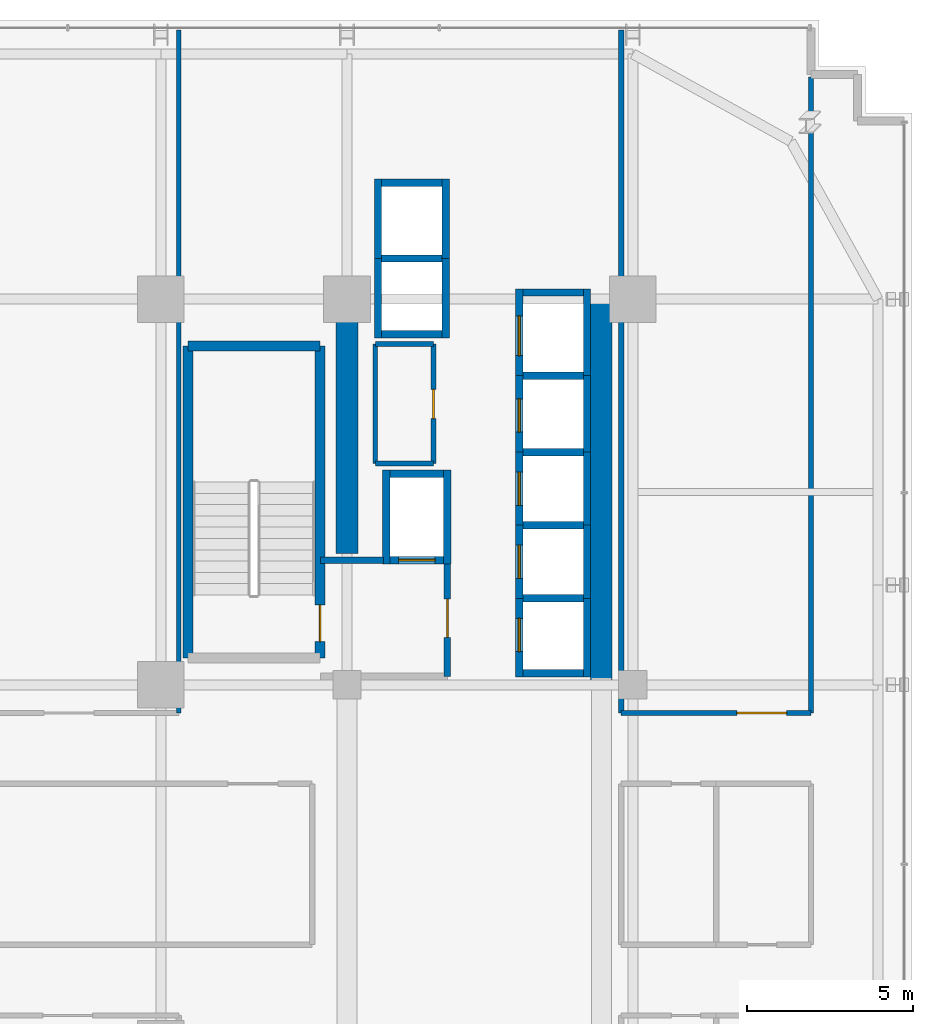
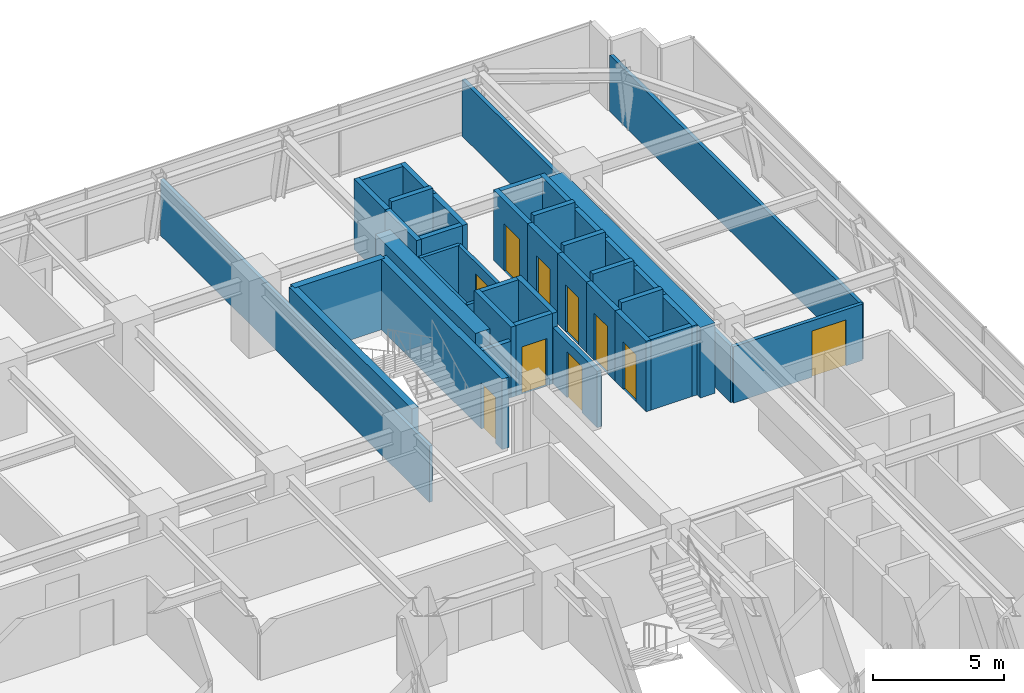
# One storey, part 31 of 35: 42 walls, 10 doors, 10 openings.
"""IFC4 building model written with IfcOpenShell, lengths in metres."""

import ifcopenshell
import ifcopenshell.guid

model = None  # the IFC model being written
_history = None  # IfcOwnerHistory: only IFC2X3 demands one
_inside = {}  # id of a spatial element -> (the spatial element, [elements in it])
_under = {}  # id of a project, library or spatial element -> (it, [spatial elements below it])
_declared = {}  # id of a project -> (the project, [libraries it declares])
_typed = {}  # id of a type object -> (the type object, [elements of that type])
_made_of = {}  # id of a material, layer set ... -> (it, [elements and type objects made of it])


def new_model(schema):
    """Start an empty IFC model of exactly this schema.

    Asked for "IFC4X3", IfcOpenShell would pick the latest addendum, in which some entities
    have other attributes; the version numbers below select the first issue.
    IFC2X3 requires an IfcOwnerHistory on every rooted entity: one is made here for all.
    """
    global model, _history
    if schema == "IFC4X3":
        model = ifcopenshell.file(schema_version=(4, 3, 0, 0))
    else:
        model = ifcopenshell.file(schema=schema)
    _inside.clear()
    _under.clear()
    _declared.clear()
    _typed.clear()
    _made_of.clear()
    _history = None
    if model.schema == "IFC2X3":
        org = make("IfcOrganization", Name="unknown")
        user = make(
            "IfcPersonAndOrganization",
            ThePerson=make("IfcPerson", FamilyName="unknown"),
            TheOrganization=org,
        )
        app = make(
            "IfcApplication",
            ApplicationDeveloper=org,
            Version="unknown",
            ApplicationFullName="unknown",
            ApplicationIdentifier="unknown",
        )
        _history = make(
            "IfcOwnerHistory",
            OwningUser=user,
            OwningApplication=app,
            ChangeAction="ADDED",
            CreationDate=0,
        )
    return model


def make(cls, **values):
    """One entity of the class cls with the attributes given. An attribute that is None is left unset."""
    return model.create_entity(
        cls, **{name: value for name, value in values.items() if value is not None}
    )


def rooted(cls, **values):
    """An entity with a GlobalId (a new one), such as an element, a storey or a relation."""
    return make(cls, GlobalId=ifcopenshell.guid.new(), OwnerHistory=_history, **values)


def si_unit(unit_type, name, prefix=None):
    """IfcSIUnit, for example si_unit("LENGTHUNIT", "METRE", prefix="MILLI")."""
    return make("IfcSIUnit", UnitType=unit_type, Prefix=prefix, Name=name)


def assignment(units):
    """IfcUnitAssignment: the units of a project."""
    return None if units is None else make("IfcUnitAssignment", Units=units)


def point(xyz):
    """IfcCartesianPoint."""
    return None if xyz is None else make("IfcCartesianPoint", Coordinates=xyz)


def direction(xyz):
    """IfcDirection."""
    return None if xyz is None else make("IfcDirection", DirectionRatios=xyz)


def frame(location, z_axis=None, x_axis=None):
    """IfcAxis2Placement3D, a coordinate frame: its origin and axes. An axis left out is left unset."""
    return make(
        "IfcAxis2Placement3D",
        Location=point(location),
        Axis=direction(z_axis),
        RefDirection=direction(x_axis),
    )


def frame_2d(location, x_axis=None):
    """IfcAxis2Placement2D, a coordinate frame in the plane: its origin and x axis."""
    return make(
        "IfcAxis2Placement2D", Location=point(location), RefDirection=direction(x_axis)
    )


def origin():
    """The frame at (0, 0, 0) with its axes left unset."""
    return frame((0.0, 0.0, 0.0))


def place(relative_to, where):
    """IfcLocalPlacement: puts the frame where relative to a parent placement (None: the world)."""
    return make(
        "IfcLocalPlacement", PlacementRelTo=relative_to, RelativePlacement=where
    )


def context(
    kind, dimensions, precision=None, world=None, true_north=None, identifier=None
):
    """IfcGeometricRepresentationContext, for example the 3D "Model" context."""
    return make(
        "IfcGeometricRepresentationContext",
        ContextIdentifier=identifier,
        ContextType=kind,
        CoordinateSpaceDimension=dimensions,
        Precision=precision,
        WorldCoordinateSystem=world,
        TrueNorth=true_north,
    )


def subcontext(parent, identifier, kind, view, scale=None):
    """IfcGeometricRepresentationSubContext, for example "Body" below "Model"."""
    return make(
        "IfcGeometricRepresentationSubContext",
        ContextIdentifier=identifier,
        ContextType=kind,
        ParentContext=parent,
        TargetScale=scale,
        TargetView=view,
    )


def project(units=None, contexts=None):
    """IfcProject with its units and contexts."""
    return rooted(
        "IfcProject",
        Name="project",
        RepresentationContexts=contexts,
        UnitsInContext=assignment(units),
    )


def spatial(cls, under=None, at=None, **own):
    """A site, building, storey or space (cls), placed at a placement, below another one or the project."""
    s = rooted(cls, ObjectPlacement=at, **own)
    if under is not None:
        _under.setdefault(under.id(), (under, []))[1].append(s)
    return s


def profile(cls, at=None, kind="AREA", **sizes):
    """A parametric profile (cls). Its sizes go by their IFC names, for example OverallWidth=200.0."""
    return make(cls, ProfileType=kind, Position=at, **sizes)


def rectangle(**sizes):
    """IfcRectangleProfileDef."""
    return profile("IfcRectangleProfileDef", **sizes)


def extrude(swept, where, along, depth):
    """IfcExtrudedAreaSolid: the profile swept, set in the frame where, extruded along a direction by depth."""
    return make(
        "IfcExtrudedAreaSolid",
        SweptArea=swept,
        Position=where,
        ExtrudedDirection=direction(along),
        Depth=depth,
    )


def shape(context_of_items, identifier, shape_type, items):
    """IfcShapeRepresentation: the items that make up one representation, for example the "Body"."""
    return make(
        "IfcShapeRepresentation",
        ContextOfItems=context_of_items,
        RepresentationIdentifier=identifier,
        RepresentationType=shape_type,
        Items=items,
    )


def source(mapping_origin, context_of_items, identifier, shape_type, items):
    """IfcRepresentationMap: a shape defined once, which mapped items show again and again."""
    return make(
        "IfcRepresentationMap",
        MappingOrigin=mapping_origin,
        MappedRepresentation=shape(context_of_items, identifier, shape_type, items),
    )


def transform(
    local_origin,
    x_axis=None,
    y_axis=None,
    z_axis=None,
    scale=None,
    scale2=None,
    scale3=None,
    uniform=True,
):
    """IfcCartesianTransformationOperator3D, or its non-uniform kind. x_axis, y_axis, z_axis: its Axis1, 2, 3."""
    if uniform:
        return make(
            "IfcCartesianTransformationOperator3D",
            Axis1=direction(x_axis),
            Axis2=direction(y_axis),
            LocalOrigin=point(local_origin),
            Scale=scale,
            Axis3=direction(z_axis),
        )
    return make(
        "IfcCartesianTransformationOperator3DnonUniform",
        Axis1=direction(x_axis),
        Axis2=direction(y_axis),
        LocalOrigin=point(local_origin),
        Scale=scale,
        Axis3=direction(z_axis),
        Scale2=scale2,
        Scale3=scale3,
    )


def mapped(mapping_source, mapping_target):
    """IfcMappedItem: shows the shape of a source again, moved by a transform."""
    return make(
        "IfcMappedItem", MappingSource=mapping_source, MappingTarget=mapping_target
    )


def material(Name=None, Category=None):
    """IfcMaterial."""
    return make("IfcMaterial", Name=Name, Category=Category)


def layer(
    of_material, thickness, ventilated=None, Name=None, Category=None, Priority=None
):
    """IfcMaterialLayer: one layer of a wall or slab, of a material (None: an air gap)."""
    return make(
        "IfcMaterialLayer",
        Material=of_material,
        LayerThickness=thickness,
        IsVentilated=ventilated,
        Name=Name,
        Category=Category,
        Priority=Priority,
    )


def layer_set(layers, Name=None):
    """IfcMaterialLayerSet."""
    return make("IfcMaterialLayerSet", MaterialLayers=layers, LayerSetName=Name)


def made_of(thing, what):
    """Note that an element or type object is made of a material, layer set ...; save() writes the relation."""
    if what is not None:
        _made_of.setdefault(what.id(), (what, []))[1].append(thing)
    return thing


def type_object(cls, material=None, **own):
    """A type object (cls), such as IfcWallType, which elements share."""
    return made_of(rooted(cls, **own), material)


def element(
    cls,
    number,
    at=None,
    inside=None,
    cuts=None,
    type_object=None,
    material=None,
    context=None,
    identifier="Body",
    shape_type=None,
    held_by="IfcProductDefinitionShape",
    body=None,
    shapes=None,
    **own,
):
    """One element of the class cls, such as IfcWall. Its Tag is "e" and its number.

    at: its placement. inside: the storey or other place that contains it. cuts: it is an
    opening in that element (IfcRelVoidsElement). A single representation is given by context,
    identifier, shape_type and body (its items); several are given by shapes. held_by: the class
    of the entity that holds the representations. save() writes the other relations.
    """
    e = rooted(cls, Tag="e%d" % number, ObjectPlacement=at, **own)
    if body is not None:
        shapes = [shape(context, identifier, shape_type, body)]
    if shapes is not None:
        e.Representation = make(held_by, Representations=shapes)
    if inside is not None:
        _inside.setdefault(inside.id(), (inside, []))[1].append(e)
    if cuts is not None:
        rooted(
            "IfcRelVoidsElement", RelatingBuildingElement=cuts, RelatedOpeningElement=e
        )
    if type_object is not None:
        _typed.setdefault(type_object.id(), (type_object, []))[1].append(e)
    return made_of(e, material)


def fill(opening, filler):
    """IfcRelFillsElement: the door or window that sits in an opening."""
    return rooted(
        "IfcRelFillsElement",
        RelatingOpeningElement=opening,
        RelatedBuildingElement=filler,
    )


def aggregate(whole, parts):
    """IfcRelAggregates: a whole, such as a stair, and the parts it consists of."""
    return rooted("IfcRelAggregates", RelatingObject=whole, RelatedObjects=parts)


def save(model, path):
    """Write the relations noted so far, then the file.

    IfcRelAggregates (storeys below a building ...), IfcRelContainedInSpatialStructure (elements
    in a storey), IfcRelDefinesByType, IfcRelAssociatesMaterial and IfcRelDeclares: one each for
    every whole, place, type object, material and project.
    """
    for whole, parts in _under.values():
        aggregate(whole, parts)
    for where, things in _inside.values():
        rooted(
            "IfcRelContainedInSpatialStructure",
            RelatedElements=things,
            RelatingStructure=where,
        )
    for kind, things in _typed.values():
        rooted("IfcRelDefinesByType", RelatedObjects=things, RelatingType=kind)
    for what, things in _made_of.values():
        rooted("IfcRelAssociatesMaterial", RelatedObjects=things, RelatingMaterial=what)
    for by, libraries in _declared.values():
        rooted("IfcRelDeclares", RelatingContext=by, RelatedDefinitions=libraries)
    model.write(path)


model = new_model("IFC4")

# Units and contexts
model_context = context("Model", 3, precision=1e-05, world=origin(), true_north=direction((0.0, 1.0)))
body_context = subcontext(model_context, "Body", "Model", "MODEL_VIEW")
ifc_project = project(units=[si_unit("LENGTHUNIT", "METRE"), si_unit("AREAUNIT", "SQUARE_METRE"), si_unit("VOLUMEUNIT", "CUBIC_METRE"), si_unit("PLANEANGLEUNIT", "RADIAN"), si_unit("MASSUNIT", "GRAM", prefix="KILO")], contexts=[model_context])

# Site, building, storey
site_placement = place(None, origin())
site = spatial("IfcSite", under=ifc_project, at=site_placement, CompositionType="ELEMENT")
building_placement = place(site_placement, origin())
building = spatial("IfcBuilding", under=site, at=building_placement, Name="Nahalor Promenade Grand Hotel", CompositionType="ELEMENT")
storey_placement = place(building_placement, frame((0.0, 0.0, 79.85009765625)))
storey = spatial("IfcBuildingStorey", under=building, at=storey_placement, Name="L19", CompositionType="ELEMENT", Elevation=79.85009765625)

# Walls
ifc_material_1 = material(Name="Concrete B-60 (C50/60)", Category="concrete")
ifc_layer_1 = layer(ifc_material_1, 0.64990234375)
ifc_layer_set_1 = layer_set([ifc_layer_1], Name="Concrete B-60 (C50/60)")
wall_type_1 = type_object("IfcWallType", Name="Wall-CoreShear-650", PredefinedType="SHEAR", material=ifc_layer_set_1)
shared_shape_1 = source(origin(), body_context, "Body", "SweptSolid", [
    extrude(rectangle(XDim=7.64990234375, YDim=0.64990234375, at=frame_2d((3.824951171875, 0.0))), origin(), (0.0, 0.0, 1.0), 3.289794921875),
])
wall_1_placement = place(storey_placement, frame((8.39990234375, 9.35009765625, 0.0), z_axis=(0.0, 0.0, 1.0), x_axis=(0.0, 1.0, 0.0)))
element("IfcWall", 1, at=wall_1_placement, inside=storey, type_object=wall_type_1, Name="CWALL-L19-NW", PredefinedType="SHEAR", context=body_context, shape_type="MappedRepresentation", body=[
    mapped(shared_shape_1, transform((0.0, 0.0, 0.0), scale=1.0)),
])
shared_shape_2 = source(origin(), body_context, "Body", "SweptSolid", [
    extrude(rectangle(XDim=11.60009765625, YDim=0.64990234375, at=frame_2d((5.800048828125, 0.0))), origin(), (0.0, 0.0, 1.0), 3.289794921875),
])
wall_2_placement = place(storey_placement, frame((16.050048828125, 5.39990234375, 0.0), z_axis=(0.0, 0.0, 1.0), x_axis=(0.0, 1.0, 0.0)))
element("IfcWall", 2, at=wall_2_placement, inside=storey, type_object=wall_type_1, Name="CWALL-L19-NE", PredefinedType="SHEAR", context=body_context, shape_type="MappedRepresentation", body=[
    mapped(shared_shape_2, transform((0.0, 0.0, 0.0), scale=1.0)),
])
ifc_material_2 = material(Name="Concrete B-50 (C40/50)", Category="concrete")
ifc_layer_2 = layer(ifc_material_2, 0.300048828125)
ifc_layer_set_2 = layer_set([ifc_layer_2], Name="Concrete B-50 (C40/50)")
wall_type_2 = type_object("IfcWallType", Name="Wall-ShaftShear-300", PredefinedType="SHEAR", material=ifc_layer_set_2)
shared_shape_3 = source(origin(), body_context, "Body", "SweptSolid", [
    extrude(rectangle(XDim=3.97998046875, YDim=0.300048828125, at=frame_2d((1.989990234375, 0.0))), origin(), (0.0, 0.0, 1.0), 3.289794921875),
])
wall_3_placement = place(storey_placement, frame((3.610107421875, 15.590087890625, 0.0), z_axis=(0.0, 0.0, 1.0), x_axis=(1.0, 0.0, 0.0)))
element("IfcWall", 3, at=wall_3_placement, inside=storey, type_object=wall_type_2, Name="L19 Exit Stair ST1 Shaft Wall N", PredefinedType="SHEAR", context=body_context, shape_type="MappedRepresentation", body=[
    mapped(shared_shape_3, transform((0.0, 0.0, 0.0), scale=1.0)),
])
shared_shape_4 = source(origin(), body_context, "Body", "SweptSolid", [
    extrude(rectangle(XDim=9.380126953125, YDim=0.300048828125, at=frame_2d((4.68994140625, 0.0))), origin(), (0.0, 0.0, 1.0), 3.289794921875),
])
wall_4_placement = place(storey_placement, frame((3.610107421875, 6.2099609375, 0.0), z_axis=(0.0, 0.0, 1.0), x_axis=(0.0, 1.0, 0.0)))
element("IfcWall", 4, at=wall_4_placement, inside=storey, type_object=wall_type_2, Name="L19 Exit Stair ST1 Shaft Wall W", PredefinedType="SHEAR", context=body_context, shape_type="MappedRepresentation", body=[
    mapped(shared_shape_4, transform((0.0, 0.0, 0.0), scale=1.0)),
])

# Wall, opening, door
wall_5_placement = place(storey_placement, frame((7.590087890625, 6.2099609375, 0.0), z_axis=(0.0, 0.0, 1.0), x_axis=(0.0, 1.0, 0.0)))
wall_5 = element("IfcWall", 5, at=wall_5_placement, inside=storey, type_object=wall_type_2, Name="L19 Exit Stair ST1 Shaft Wall E", PredefinedType="SHEAR", context=body_context, shape_type="MappedRepresentation", body=[
    mapped(shared_shape_4, transform((0.0, 0.0, 0.0), scale=1.0)),
])
opening_1_placement = place(wall_5_placement, frame((0.489990234375, 0.0, 0.0)))
opening_1 = element("IfcOpeningElement", 6, at=opening_1_placement, cuts=wall_5, Name="Opening D-ST1", PredefinedType="OPENING", context=body_context, shape_type="SweptSolid", body=[
    extrude(rectangle(XDim=1.10009765625, YDim=2.14990234375, at=frame_2d((0.550048828125, 1.074951171875))), frame((0.0, 0.159912109375, 0.0), z_axis=(0.0, -1.0, 0.0), x_axis=(1.0, 0.0, 0.0)), (0.0, 0.0, 1.0), 0.320068359375),
])
ifc_material_3 = material(Name="Steel S355JR", Category="steel")
door_type_1 = type_object("IfcDoorType", Name="Door-StairFire-1100", OperationType="NOTDEFINED", PredefinedType="DOOR", material=ifc_material_3)
shared_shape_5 = source(origin(), body_context, "Body", "SweptSolid", [
    extrude(rectangle(XDim=1.10009765625, YDim=2.14990234375, at=frame_2d((0.550048828125, 1.074951171875))), frame((0.0, 0.02490234375, 0.0), z_axis=(0.0, -1.0, 0.0), x_axis=(1.0, 0.0, 0.0)), (0.0, 0.0, 1.0), 0.050048828125),
])
door_1_placement = place(opening_1_placement, origin())
door_1 = element("IfcDoor", 7, at=door_1_placement, inside=storey, type_object=door_type_1, Name="DR-STAIR-ST1-L19", OperationType="SINGLE_SWING_RIGHT", OverallHeight=2.14990234375, OverallWidth=1.10009765625, PredefinedType="DOOR", context=body_context, shape_type="MappedRepresentation", body=[
    mapped(shared_shape_5, transform((0.0, 0.0, 0.0), scale=1.0)),
])
fill(opening_1, door_1)

# Walls
ifc_layer_3 = layer(ifc_material_2, 0.219970703125)
ifc_layer_set_3 = layer_set([ifc_layer_3], Name="Concrete B-50 (C40/50)")
wall_type_3 = type_object("IfcWallType", Name="Wall-LiftShaft-220", PredefinedType="SHEAR", material=ifc_layer_set_3)
shared_shape_6 = source(origin(), body_context, "Body", "SweptSolid", [
    extrude(rectangle(XDim=1.820068359375, YDim=0.219970703125, at=frame_2d((0.91015625, 0.0))), origin(), (0.0, 0.0, 1.0), 3.64990234375),
])
for number, where, z_axis, x_axis, name in (
    (8, (13.68994140625, 8.0, 0.0), (0.0, 0.0, 1.0), (1.0, 0.0, 0.0), "L19 Lift PL1 Hoistway Wall N"),
    (9, (13.68994140625, 10.199951171875, 0.0), (0.0, 0.0, 1.0), (1.0, 0.0, 0.0), "L19 Lift PL2 Hoistway Wall N"),
    (10, (13.68994140625, 12.39990234375, 0.0), (0.0, 0.0, 1.0), (1.0, 0.0, 0.0), "L19 Lift PL3 Hoistway Wall N"),
    (11, (13.68994140625, 14.699951171875, 0.0), (0.0, 0.0, 1.0), (1.0, 0.0, 0.0), "L19 Lift PL4 Hoistway Wall N"),
    (12, (9.43994140625, 18.22509765625, 0.0), (0.0, 0.0, 1.0), (1.0, 0.0, 0.0), "L19 Lift OB1 Hoistway Wall N"),
):
    element("IfcWall", number, at=place(storey_placement, frame(where, z_axis=z_axis, x_axis=x_axis)), inside=storey, type_object=wall_type_3, Name=name, PredefinedType="SHEAR", context=body_context, shape_type="MappedRepresentation", body=[
        mapped(shared_shape_6, transform((0.0, 0.0, 0.0), scale=1.0)),
    ])

# Wall, opening, door
shared_shape_7 = source(origin(), body_context, "Body", "SweptSolid", [
    extrude(rectangle(XDim=2.360107421875, YDim=0.219970703125, at=frame_2d((1.18017578125, 0.0))), origin(), (0.0, 0.0, 1.0), 3.289794921875),
])
wall_6_placement = place(storey_placement, frame((13.580078125, 5.639892578125, 0.0), z_axis=(0.0, 0.0, 1.0), x_axis=(0.0, 1.0, 0.0)))
wall_6 = element("IfcWall", 13, at=wall_6_placement, inside=storey, type_object=wall_type_3, Name="L19 Lift PL1 Hoistway Wall W", PredefinedType="SHEAR", context=body_context, shape_type="MappedRepresentation", body=[
    mapped(shared_shape_7, transform((0.0, 0.0, 0.0), scale=1.0)),
])
opening_2_placement = place(wall_6_placement, frame((0.760009765625, 0.0, 0.0)))
opening_2 = element("IfcOpeningElement", 14, at=opening_2_placement, cuts=wall_6, Name="Opening LD-01", PredefinedType="OPENING", context=body_context, shape_type="SweptSolid", body=[
    extrude(rectangle(XDim=1.0, YDim=2.199951171875, at=frame_2d((0.5, 1.10009765625))), frame((0.0, 0.119873046875, 0.0), z_axis=(0.0, -1.0, 0.0), x_axis=(1.0, 0.0, 0.0)), (0.0, 0.0, 1.0), 0.239990234375),
])
door_type_2 = type_object("IfcDoorType", Name="Door-LiftLanding-1000", OperationType="DOUBLE_DOOR_SLIDING", PredefinedType="DOOR", material=ifc_material_3)
shared_shape_8 = source(origin(), body_context, "Body", "SweptSolid", [
    extrude(rectangle(XDim=1.0, YDim=2.199951171875, at=frame_2d((0.5, 1.10009765625))), frame((0.0, 0.02490234375, 0.0), z_axis=(0.0, -1.0, 0.0), x_axis=(1.0, 0.0, 0.0)), (0.0, 0.0, 1.0), 0.050048828125),
])
door_2_placement = place(opening_2_placement, origin())
door_2 = element("IfcDoor", 15, at=door_2_placement, inside=storey, type_object=door_type_2, Name="DR-LIFT-PL1-L19", OperationType="DOUBLE_DOOR_SLIDING", OverallHeight=2.199951171875, OverallWidth=1.0, PredefinedType="DOOR", context=body_context, shape_type="MappedRepresentation", body=[
    mapped(shared_shape_8, transform((0.0, 0.0, 0.0), scale=1.0)),
])
fill(opening_2, door_2)

# Walls
wall_7_placement = place(storey_placement, frame((15.6201171875, 5.639892578125, 0.0), z_axis=(0.0, 0.0, 1.0), x_axis=(0.0, 1.0, 0.0)))
element("IfcWall", 16, at=wall_7_placement, inside=storey, type_object=wall_type_3, Name="L19 Lift PL1 Hoistway Wall E", PredefinedType="SHEAR", context=body_context, shape_type="MappedRepresentation", body=[
    mapped(shared_shape_7, transform((0.0, 0.0, 0.0), scale=1.0)),
])
shared_shape_9 = source(origin(), body_context, "Body", "SweptSolid", [
    extrude(rectangle(XDim=1.820068359375, YDim=0.219970703125, at=frame_2d((0.91015625, 0.0))), origin(), (0.0, 0.0, 1.0), 3.289794921875),
])
for number, where, z_axis, x_axis, name in (
    (17, (13.68994140625, 5.75, 0.0), (0.0, 0.0, 1.0), (1.0, 0.0, 0.0), "L19 Lift PL1 Hoistway Wall S"),
    (18, (9.43994140625, 15.949951171875, 0.0), (0.0, 0.0, 1.0), (1.0, 0.0, 0.0), "L19 Lift OB1 Hoistway Wall S"),
    (19, (9.43994140625, 20.5, 0.0), (0.0, 0.0, 1.0), (1.0, 0.0, 0.0), "L19 Lift OB2 Hoistway Wall N"),
    (20, (13.68994140625, 17.199951171875, 0.0), (0.0, 0.0, 1.0), (1.0, 0.0, 0.0), "L19 Lift SV1 Hoistway Wall N"),
):
    element("IfcWall", number, at=place(storey_placement, frame(where, z_axis=z_axis, x_axis=x_axis)), inside=storey, type_object=wall_type_3, Name=name, PredefinedType="SHEAR", context=body_context, shape_type="MappedRepresentation", body=[
        mapped(shared_shape_9, transform((0.0, 0.0, 0.0), scale=1.0)),
    ])

# Wall, opening, door
shared_shape_10 = source(origin(), body_context, "Body", "SweptSolid", [
    extrude(rectangle(XDim=2.199951171875, YDim=0.219970703125, at=frame_2d((1.10009765625, 0.0))), origin(), (0.0, 0.0, 1.0), 3.289794921875),
])
wall_8_placement = place(storey_placement, frame((13.580078125, 8.0, 0.0), z_axis=(0.0, 0.0, 1.0), x_axis=(0.0, 1.0, 0.0)))
wall_8 = element("IfcWall", 21, at=wall_8_placement, inside=storey, type_object=wall_type_3, Name="L19 Lift PL2 Hoistway Wall W", PredefinedType="SHEAR", context=body_context, shape_type="MappedRepresentation", body=[
    mapped(shared_shape_10, transform((0.0, 0.0, 0.0), scale=1.0)),
])
opening_3_placement = place(wall_8_placement, frame((0.60009765625, 0.0, 0.0)))
opening_3 = element("IfcOpeningElement", 22, at=opening_3_placement, cuts=wall_8, Name="Opening LD-01", PredefinedType="OPENING", context=body_context, shape_type="SweptSolid", body=[
    extrude(rectangle(XDim=1.0, YDim=2.199951171875, at=frame_2d((0.5, 1.10009765625))), frame((0.0, 0.119873046875, 0.0), z_axis=(0.0, -1.0, 0.0), x_axis=(1.0, 0.0, 0.0)), (0.0, 0.0, 1.0), 0.239990234375),
])
door_3_placement = place(opening_3_placement, origin())
door_3 = element("IfcDoor", 23, at=door_3_placement, inside=storey, type_object=door_type_2, Name="DR-LIFT-PL2-L19", OperationType="DOUBLE_DOOR_SLIDING", OverallHeight=2.199951171875, OverallWidth=1.0, PredefinedType="DOOR", context=body_context, shape_type="MappedRepresentation", body=[
    mapped(shared_shape_8, transform((0.0, 0.0, 0.0), scale=1.0)),
])
fill(opening_3, door_3)

# Wall
wall_9_placement = place(storey_placement, frame((15.6201171875, 8.0, 0.0), z_axis=(0.0, 0.0, 1.0), x_axis=(0.0, 1.0, 0.0)))
element("IfcWall", 24, at=wall_9_placement, inside=storey, type_object=wall_type_3, Name="L19 Lift PL2 Hoistway Wall E", PredefinedType="SHEAR", context=body_context, shape_type="MappedRepresentation", body=[
    mapped(shared_shape_10, transform((0.0, 0.0, 0.0), scale=1.0)),
])

# Wall, opening, door
wall_10_placement = place(storey_placement, frame((13.580078125, 10.199951171875, 0.0), z_axis=(0.0, 0.0, 1.0), x_axis=(0.0, 1.0, 0.0)))
wall_10 = element("IfcWall", 25, at=wall_10_placement, inside=storey, type_object=wall_type_3, Name="L19 Lift PL3 Hoistway Wall W", PredefinedType="SHEAR", context=body_context, shape_type="MappedRepresentation", body=[
    mapped(shared_shape_10, transform((0.0, 0.0, 0.0), scale=1.0)),
])
opening_4_placement = place(wall_10_placement, frame((0.60009765625, 0.0, 0.0)))
opening_4 = element("IfcOpeningElement", 26, at=opening_4_placement, cuts=wall_10, Name="Opening LD-01", PredefinedType="OPENING", context=body_context, shape_type="SweptSolid", body=[
    extrude(rectangle(XDim=1.0, YDim=2.199951171875, at=frame_2d((0.5, 1.10009765625))), frame((0.0, 0.119873046875, 0.0), z_axis=(0.0, -1.0, 0.0), x_axis=(1.0, 0.0, 0.0)), (0.0, 0.0, 1.0), 0.239990234375),
])
door_4_placement = place(opening_4_placement, origin())
door_4 = element("IfcDoor", 27, at=door_4_placement, inside=storey, type_object=door_type_2, Name="DR-LIFT-PL3-L19", OperationType="DOUBLE_DOOR_SLIDING", OverallHeight=2.199951171875, OverallWidth=1.0, PredefinedType="DOOR", context=body_context, shape_type="MappedRepresentation", body=[
    mapped(shared_shape_8, transform((0.0, 0.0, 0.0), scale=1.0)),
])
fill(opening_4, door_4)

# Wall
wall_11_placement = place(storey_placement, frame((15.6201171875, 10.199951171875, 0.0), z_axis=(0.0, 0.0, 1.0), x_axis=(0.0, 1.0, 0.0)))
element("IfcWall", 28, at=wall_11_placement, inside=storey, type_object=wall_type_3, Name="L19 Lift PL3 Hoistway Wall E", PredefinedType="SHEAR", context=body_context, shape_type="MappedRepresentation", body=[
    mapped(shared_shape_10, transform((0.0, 0.0, 0.0), scale=1.0)),
])

# Wall, opening, door
shared_shape_11 = source(origin(), body_context, "Body", "SweptSolid", [
    extrude(rectangle(XDim=2.300048828125, YDim=0.219970703125, at=frame_2d((1.14990234375, 0.0))), origin(), (0.0, 0.0, 1.0), 3.289794921875),
])
wall_12_placement = place(storey_placement, frame((13.580078125, 12.39990234375, 0.0), z_axis=(0.0, 0.0, 1.0), x_axis=(0.0, 1.0, 0.0)))
wall_12 = element("IfcWall", 29, at=wall_12_placement, inside=storey, type_object=wall_type_3, Name="L19 Lift PL4 Hoistway Wall W", PredefinedType="SHEAR", context=body_context, shape_type="MappedRepresentation", body=[
    mapped(shared_shape_11, transform((0.0, 0.0, 0.0), scale=1.0)),
])
opening_5_placement = place(wall_12_placement, frame((0.60009765625, 0.0, 0.0)))
opening_5 = element("IfcOpeningElement", 30, at=opening_5_placement, cuts=wall_12, Name="Opening LD-01", PredefinedType="OPENING", context=body_context, shape_type="SweptSolid", body=[
    extrude(rectangle(XDim=1.0, YDim=2.199951171875, at=frame_2d((0.5, 1.10009765625))), frame((0.0, 0.119873046875, 0.0), z_axis=(0.0, -1.0, 0.0), x_axis=(1.0, 0.0, 0.0)), (0.0, 0.0, 1.0), 0.239990234375),
])
door_5_placement = place(opening_5_placement, origin())
door_5 = element("IfcDoor", 31, at=door_5_placement, inside=storey, type_object=door_type_2, Name="DR-LIFT-PL4-L19", OperationType="DOUBLE_DOOR_SLIDING", OverallHeight=2.199951171875, OverallWidth=1.0, PredefinedType="DOOR", context=body_context, shape_type="MappedRepresentation", body=[
    mapped(shared_shape_8, transform((0.0, 0.0, 0.0), scale=1.0)),
])
fill(opening_5, door_5)

# Walls
wall_13_placement = place(storey_placement, frame((15.6201171875, 12.39990234375, 0.0), z_axis=(0.0, 0.0, 1.0), x_axis=(0.0, 1.0, 0.0)))
element("IfcWall", 32, at=wall_13_placement, inside=storey, type_object=wall_type_3, Name="L19 Lift PL4 Hoistway Wall E", PredefinedType="SHEAR", context=body_context, shape_type="MappedRepresentation", body=[
    mapped(shared_shape_11, transform((0.0, 0.0, 0.0), scale=1.0)),
])
shared_shape_12 = source(origin(), body_context, "Body", "SweptSolid", [
    extrude(rectangle(XDim=2.385009765625, YDim=0.219970703125, at=frame_2d((1.1923828125, 0.0))), origin(), (0.0, 0.0, 1.0), 3.289794921875),
])
for number, where, z_axis, x_axis, name in (
    (33, (9.330078125, 15.840087890625, 0.0), (0.0, 0.0, 1.0), (0.0, 1.0, 0.0), "L19 Lift OB1 Hoistway Wall W"),
    (34, (11.3701171875, 15.840087890625, 0.0), (0.0, 0.0, 1.0), (0.0, 1.0, 0.0), "L19 Lift OB1 Hoistway Wall E"),
    (35, (9.330078125, 18.22509765625, 0.0), (0.0, 0.0, 1.0), (0.0, 1.0, 0.0), "L19 Lift OB2 Hoistway Wall W"),
    (36, (11.3701171875, 18.22509765625, 0.0), (0.0, 0.0, 1.0), (0.0, 1.0, 0.0), "L19 Lift OB2 Hoistway Wall E"),
):
    element("IfcWall", number, at=place(storey_placement, frame(where, z_axis=z_axis, x_axis=x_axis)), inside=storey, type_object=wall_type_3, Name=name, PredefinedType="SHEAR", context=body_context, shape_type="MappedRepresentation", body=[
        mapped(shared_shape_12, transform((0.0, 0.0, 0.0), scale=1.0)),
    ])
shared_shape_13 = source(origin(), body_context, "Body", "SweptSolid", [
    extrude(rectangle(XDim=2.820068359375, YDim=0.219970703125, at=frame_2d((1.41015625, 0.0))), origin(), (0.0, 0.0, 1.0), 3.289794921875),
])
for number, where, z_axis, x_axis, name in (
    (37, (9.580078125, 9.0400390625, 0.0), (0.0, 0.0, 1.0), (0.0, 1.0, 0.0), "L19 Lift FL1 Hoistway Wall W"),
    (38, (11.419921875, 9.0400390625, 0.0), (0.0, 0.0, 1.0), (0.0, 1.0, 0.0), "L19 Lift FL1 Hoistway Wall E"),
):
    element("IfcWall", number, at=place(storey_placement, frame(where, z_axis=z_axis, x_axis=x_axis)), inside=storey, type_object=wall_type_3, Name=name, PredefinedType="SHEAR", context=body_context, shape_type="MappedRepresentation", body=[
        mapped(shared_shape_13, transform((0.0, 0.0, 0.0), scale=1.0)),
    ])

# Wall, opening, door
shared_shape_14 = source(origin(), body_context, "Body", "SweptSolid", [
    extrude(rectangle(XDim=1.6201171875, YDim=0.219970703125, at=frame_2d((0.81005859375, 0.0))), origin(), (0.0, 0.0, 1.0), 3.289794921875),
])
wall_14_placement = place(storey_placement, frame((9.68994140625, 9.14990234375, 0.0), z_axis=(0.0, 0.0, 1.0), x_axis=(1.0, 0.0, 0.0)))
wall_14 = element("IfcWall", 39, at=wall_14_placement, inside=storey, type_object=wall_type_3, Name="L19 Lift FL1 Hoistway Wall S", PredefinedType="SHEAR", context=body_context, shape_type="MappedRepresentation", body=[
    mapped(shared_shape_14, transform((0.0, 0.0, 0.0), scale=1.0)),
])
opening_6_placement = place(wall_14_placement, frame((0.260009765625, 0.0, 0.0)))
opening_6 = element("IfcOpeningElement", 40, at=opening_6_placement, cuts=wall_14, Name="Opening LD-02", PredefinedType="OPENING", context=body_context, shape_type="SweptSolid", body=[
    extrude(rectangle(XDim=1.10009765625, YDim=2.199951171875, at=frame_2d((0.550048828125, 1.10009765625))), frame((0.0, 0.119873046875, 0.0), z_axis=(0.0, -1.0, 0.0), x_axis=(1.0, 0.0, 0.0)), (0.0, 0.0, 1.0), 0.239990234375),
])
door_type_3 = type_object("IfcDoorType", Name="Door-LiftFF-1100", OperationType="DOUBLE_DOOR_SLIDING", PredefinedType="DOOR", material=ifc_material_3)
shared_shape_15 = source(origin(), body_context, "Body", "SweptSolid", [
    extrude(rectangle(XDim=1.10009765625, YDim=2.199951171875, at=frame_2d((0.550048828125, 1.10009765625))), frame((0.0, 0.02490234375, 0.0), z_axis=(0.0, -1.0, 0.0), x_axis=(1.0, 0.0, 0.0)), (0.0, 0.0, 1.0), 0.050048828125),
])
door_6_placement = place(opening_6_placement, frame((1.10009765625, 0.0, 0.0), z_axis=(0.0, 0.0, 1.0), x_axis=(-1.0, 0.0, 0.0)))
door_6 = element("IfcDoor", 41, at=door_6_placement, inside=storey, type_object=door_type_3, Name="DR-LIFT-FL1-L19", OperationType="DOUBLE_DOOR_SLIDING", OverallHeight=2.199951171875, OverallWidth=1.10009765625, PredefinedType="DOOR", context=body_context, shape_type="MappedRepresentation", body=[
    mapped(shared_shape_15, transform((0.0, 0.0, 0.0), scale=1.0)),
])
fill(opening_6, door_6)

# Wall
wall_15_placement = place(storey_placement, frame((9.68994140625, 11.75, 0.0), z_axis=(0.0, 0.0, 1.0), x_axis=(1.0, 0.0, 0.0)))
element("IfcWall", 42, at=wall_15_placement, inside=storey, type_object=wall_type_3, Name="L19 Lift FL1 Hoistway Wall N", PredefinedType="SHEAR", context=body_context, shape_type="MappedRepresentation", body=[
    mapped(shared_shape_14, transform((0.0, 0.0, 0.0), scale=1.0)),
])

# Wall, opening, door
shared_shape_16 = source(origin(), body_context, "Body", "SweptSolid", [
    extrude(rectangle(XDim=2.610107421875, YDim=0.219970703125, at=frame_2d((1.30517578125, 0.0))), origin(), (0.0, 0.0, 1.0), 3.289794921875),
])
wall_16_placement = place(storey_placement, frame((13.580078125, 14.699951171875, 0.0), z_axis=(0.0, 0.0, 1.0), x_axis=(0.0, 1.0, 0.0)))
wall_16 = element("IfcWall", 43, at=wall_16_placement, inside=storey, type_object=wall_type_3, Name="L19 Lift SV1 Hoistway Wall W", PredefinedType="SHEAR", context=body_context, shape_type="MappedRepresentation", body=[
    mapped(shared_shape_16, transform((0.0, 0.0, 0.0), scale=1.0)),
])
opening_7_placement = place(wall_16_placement, frame((0.60009765625, 0.0, 0.0)))
opening_7 = element("IfcOpeningElement", 44, at=opening_7_placement, cuts=wall_16, Name="Opening LD-03", PredefinedType="OPENING", context=body_context, shape_type="SweptSolid", body=[
    extrude(rectangle(XDim=1.199951171875, YDim=2.199951171875, at=frame_2d((0.60009765625, 1.10009765625))), frame((0.0, 0.119873046875, 0.0), z_axis=(0.0, -1.0, 0.0), x_axis=(1.0, 0.0, 0.0)), (0.0, 0.0, 1.0), 0.239990234375),
])
door_type_4 = type_object("IfcDoorType", Name="Door-LiftService-1200", OperationType="DOUBLE_DOOR_SLIDING", PredefinedType="DOOR", material=ifc_material_3)
shared_shape_17 = source(origin(), body_context, "Body", "SweptSolid", [
    extrude(rectangle(XDim=1.199951171875, YDim=2.199951171875, at=frame_2d((0.60009765625, 1.10009765625))), frame((0.0, 0.02490234375, 0.0), z_axis=(0.0, -1.0, 0.0), x_axis=(1.0, 0.0, 0.0)), (0.0, 0.0, 1.0), 0.050048828125),
])
door_7_placement = place(opening_7_placement, origin())
door_7 = element("IfcDoor", 45, at=door_7_placement, inside=storey, type_object=door_type_4, Name="DR-LIFT-SV1-L19", OperationType="DOUBLE_DOOR_SLIDING", OverallHeight=2.199951171875, OverallWidth=1.199951171875, PredefinedType="DOOR", context=body_context, shape_type="MappedRepresentation", body=[
    mapped(shared_shape_17, transform((0.0, 0.0, 0.0), scale=1.0)),
])
fill(opening_7, door_7)

# Walls
wall_17_placement = place(storey_placement, frame((15.6201171875, 14.699951171875, 0.0), z_axis=(0.0, 0.0, 1.0), x_axis=(0.0, 1.0, 0.0)))
element("IfcWall", 46, at=wall_17_placement, inside=storey, type_object=wall_type_3, Name="L19 Lift SV1 Hoistway Wall E", PredefinedType="SHEAR", context=body_context, shape_type="MappedRepresentation", body=[
    mapped(shared_shape_16, transform((0.0, 0.0, 0.0), scale=1.0)),
])
ifc_material_4 = material(Name="Concrete B-40 (C32/40)", Category="concrete")
ifc_layer_4 = layer(ifc_material_4, 0.199951171875)
ifc_layer_set_4 = layer_set([ifc_layer_4], Name="Concrete B-40 (C32/40)")
wall_type_4 = type_object("IfcWallType", Name="Wall-PartFire-200", PredefinedType="PARTITIONING", material=ifc_layer_set_4)
shared_shape_18 = source(origin(), body_context, "Body", "SweptSolid", [
    extrude(rectangle(XDim=1.89990234375, YDim=0.199951171875, at=frame_2d((0.949951171875, 0.0))), origin(), (0.0, 0.0, 1.0), 2.6298828125),
])
wall_18_placement = place(storey_placement, frame((7.60009765625, 9.14990234375, 0.0), z_axis=(0.0, 0.0, 1.0), x_axis=(1.0, 0.0, 0.0)))
element("IfcWall", 47, at=wall_18_placement, inside=storey, type_object=wall_type_4, Name="W-L19-FF1-N", PredefinedType="PARTITIONING", context=body_context, shape_type="MappedRepresentation", body=[
    mapped(shared_shape_18, transform((0.0, 0.0, 0.0), scale=1.0)),
])

# Wall, opening, door
shared_shape_19 = source(origin(), body_context, "Body", "SweptSolid", [
    extrude(rectangle(XDim=3.5, YDim=0.199951171875, at=frame_2d((1.75, 0.0))), origin(), (0.0, 0.0, 1.0), 2.6298828125),
])
wall_19_placement = place(storey_placement, frame((11.419921875, 5.64990234375, 0.0), z_axis=(0.0, 0.0, 1.0), x_axis=(0.0, 1.0, 0.0)))
wall_19 = element("IfcWall", 48, at=wall_19_placement, inside=storey, type_object=wall_type_4, Name="W-L19-FF1-E", PredefinedType="PARTITIONING", context=body_context, shape_type="MappedRepresentation", body=[
    mapped(shared_shape_19, transform((0.0, 0.0, 0.0), scale=1.0)),
])
opening_8_placement = place(wall_19_placement, frame((1.175048828125, 0.0, 0.0)))
opening_8 = element("IfcOpeningElement", 49, at=opening_8_placement, cuts=wall_19, Name="Opening D-FF1", PredefinedType="OPENING", context=body_context, shape_type="SweptSolid", body=[
    extrude(rectangle(XDim=1.14990234375, YDim=2.14990234375, at=frame_2d((0.574951171875, 1.074951171875))), frame((0.0, 0.10986328125, 0.0), z_axis=(0.0, -1.0, 0.0), x_axis=(1.0, 0.0, 0.0)), (0.0, 0.0, 1.0), 0.219970703125),
])
door_type_5 = type_object("IfcDoorType", Name="Door-FFLobby-1150", OperationType="NOTDEFINED", PredefinedType="DOOR", material=ifc_material_3)
shared_shape_20 = source(origin(), body_context, "Body", "SweptSolid", [
    extrude(rectangle(XDim=1.14990234375, YDim=2.14990234375, at=frame_2d((0.574951171875, 1.074951171875))), frame((0.0, 0.02490234375, 0.0), z_axis=(0.0, -1.0, 0.0), x_axis=(1.0, 0.0, 0.0)), (0.0, 0.0, 1.0), 0.050048828125),
])
door_8_placement = place(opening_8_placement, frame((1.14990234375, 0.0, 0.0), z_axis=(0.0, 0.0, 1.0), x_axis=(-1.0, 0.0, 0.0)))
door_8 = element("IfcDoor", 50, at=door_8_placement, inside=storey, type_object=door_type_5, Name="DR-L19-FFL1", OperationType="SINGLE_SWING_RIGHT", OverallHeight=2.14990234375, OverallWidth=1.14990234375, PredefinedType="DOOR", context=body_context, shape_type="MappedRepresentation", body=[
    mapped(shared_shape_20, transform((0.0, 0.0, 0.0), scale=1.0)),
])
fill(opening_8, door_8)

# Walls
ifc_material_5 = material(Name="Acoustic Mineral Gypsum", Category="gypsum")
ifc_layer_5 = layer(ifc_material_5, 0.14990234375)
ifc_layer_set_5 = layer_set([ifc_layer_5], Name="Acoustic Mineral Gypsum")
wall_type_5 = type_object("IfcWallType", Name="Wall-PartService-150", PredefinedType="PARTITIONING", material=ifc_layer_set_5)
shared_shape_21 = source(origin(), body_context, "Body", "SweptSolid", [
    extrude(rectangle(XDim=1.75, YDim=0.14990234375, at=frame_2d((0.875, 0.0))), origin(), (0.0, 0.0, 1.0), 2.6298828125),
])
for number, where, z_axis, x_axis, name in (
    (51, (9.25, 12.050048828125, 0.0), (0.0, 0.0, 1.0), (1.0, 0.0, 0.0), "W-L19-CK1A-S"),
    (52, (9.25, 15.64990234375, 0.0), (0.0, 0.0, 1.0), (1.0, 0.0, 0.0), "W-L19-CK1A-N"),
):
    element("IfcWall", number, at=place(storey_placement, frame(where, z_axis=z_axis, x_axis=x_axis)), inside=storey, type_object=wall_type_5, Name=name, PredefinedType="PARTITIONING", context=body_context, shape_type="MappedRepresentation", body=[
        mapped(shared_shape_21, transform((0.0, 0.0, 0.0), scale=1.0)),
    ])
shared_shape_22 = source(origin(), body_context, "Body", "SweptSolid", [
    extrude(rectangle(XDim=3.599853515625, YDim=0.14990234375, at=frame_2d((1.7998046875, 0.0))), origin(), (0.0, 0.0, 1.0), 2.6298828125),
])
wall_20_placement = place(storey_placement, frame((9.25, 12.050048828125, 0.0), z_axis=(0.0, 0.0, 1.0), x_axis=(0.0, 1.0, 0.0)))
element("IfcWall", 53, at=wall_20_placement, inside=storey, type_object=wall_type_5, Name="W-L19-CK1A-W", PredefinedType="PARTITIONING", context=body_context, shape_type="MappedRepresentation", body=[
    mapped(shared_shape_22, transform((0.0, 0.0, 0.0), scale=1.0)),
])

# Wall, opening, door
wall_21_placement = place(storey_placement, frame((11.0, 12.050048828125, 0.0), z_axis=(0.0, 0.0, 1.0), x_axis=(0.0, 1.0, 0.0)))
wall_21 = element("IfcWall", 54, at=wall_21_placement, inside=storey, type_object=wall_type_5, Name="W-L19-CK1A-E", PredefinedType="PARTITIONING", context=body_context, shape_type="MappedRepresentation", body=[
    mapped(shared_shape_22, transform((0.0, 0.0, 0.0), scale=1.0)),
])
opening_9_placement = place(wall_21_placement, frame((1.360107421875, 0.0, 0.0)))
opening_9 = element("IfcOpeningElement", 55, at=opening_9_placement, cuts=wall_21, Name="Opening D-03", PredefinedType="OPENING", context=body_context, shape_type="SweptSolid", body=[
    extrude(rectangle(XDim=0.8798828125, YDim=2.10009765625, at=frame_2d((0.43994140625, 1.050048828125))), frame((0.0, 0.0849609375, 0.0), z_axis=(0.0, -1.0, 0.0), x_axis=(1.0, 0.0, 0.0)), (0.0, 0.0, 1.0), 0.169921875),
])
ifc_material_6 = material(Name="Fire-Rated Timber Composite", Category="wood")
door_type_6 = type_object("IfcDoorType", Name="Door-BathSwing-880", OperationType="NOTDEFINED", PredefinedType="DOOR", material=ifc_material_6)
shared_shape_23 = source(origin(), body_context, "Body", "SweptSolid", [
    extrude(rectangle(XDim=0.8798828125, YDim=2.10009765625, at=frame_2d((0.43994140625, 1.050048828125))), frame((0.0, 0.02490234375, 0.0), z_axis=(0.0, -1.0, 0.0), x_axis=(1.0, 0.0, 0.0)), (0.0, 0.0, 1.0), 0.050048828125),
])
door_9_placement = place(opening_9_placement, origin())
door_9 = element("IfcDoor", 56, at=door_9_placement, inside=storey, type_object=door_type_6, Name="DR-L19-CK1A", OperationType="SINGLE_SWING_RIGHT", OverallHeight=2.10009765625, OverallWidth=0.8798828125, PredefinedType="DOOR", context=body_context, shape_type="MappedRepresentation", body=[
    mapped(shared_shape_23, transform((0.0, 0.0, 0.0), scale=1.0)),
])
fill(opening_9, door_9)

ifc_layer_6 = layer(ifc_material_5, 0.159912109375)
ifc_layer_set_6 = layer_set([ifc_layer_6], Name="Acoustic Mineral Gypsum")
wall_type_6 = type_object("IfcWallType", Name="Wall-PartCorridor-160", PredefinedType="PARTITIONING", material=ifc_layer_set_6)
shared_shape_24 = source(origin(), body_context, "Body", "SweptSolid", [
    extrude(rectangle(XDim=5.710205078125, YDim=0.159912109375, at=frame_2d((2.85498046875, 0.0))), origin(), (0.0, 0.0, 1.0), 2.6298828125),
])
wall_22_placement = place(storey_placement, frame((16.64990234375, 4.550048828125, 0.0), z_axis=(0.0, 0.0, 1.0), x_axis=(1.0, 0.0, 0.0)))
wall_22 = element("IfcWall", 57, at=wall_22_placement, inside=storey, type_object=wall_type_6, Name="W-L19-ENE-S", PredefinedType="PARTITIONING", context=body_context, shape_type="MappedRepresentation", body=[
    mapped(shared_shape_24, transform((0.0, 0.0, 0.0), scale=1.0)),
])
opening_10_placement = place(wall_22_placement, frame((3.47900390625, 0.0, 0.0)))
opening_10 = element("IfcOpeningElement", 58, at=opening_10_placement, cuts=wall_22, Name="Opening D-02", PredefinedType="OPENING", context=body_context, shape_type="SweptSolid", body=[
    extrude(rectangle(XDim=1.5, YDim=2.14990234375, at=frame_2d((0.75, 1.074951171875))), frame((0.0, 0.08984375, 0.0), z_axis=(0.0, -1.0, 0.0), x_axis=(1.0, 0.0, 0.0)), (0.0, 0.0, 1.0), 0.179931640625),
])
door_type_7 = type_object("IfcDoorType", Name="Door-SuiteDouble-1500", OperationType="DOUBLE_DOOR_SINGLE_SWING", PredefinedType="DOOR", material=ifc_material_6)
shared_shape_25 = source(origin(), body_context, "Body", "SweptSolid", [
    extrude(rectangle(XDim=1.5, YDim=2.14990234375, at=frame_2d((0.75, 1.074951171875))), frame((0.0, 0.02490234375, 0.0), z_axis=(0.0, -1.0, 0.0), x_axis=(1.0, 0.0, 0.0)), (0.0, 0.0, 1.0), 0.050048828125),
])
door_10_placement = place(opening_10_placement, origin())
door_10 = element("IfcDoor", 59, at=door_10_placement, inside=storey, type_object=door_type_7, Name="DR-L19-ENE", OperationType="DOUBLE_DOOR_SINGLE_SWING", OverallHeight=2.14990234375, OverallWidth=1.5, PredefinedType="DOOR", context=body_context, shape_type="MappedRepresentation", body=[
    mapped(shared_shape_25, transform((0.0, 0.0, 0.0), scale=1.0)),
])
fill(opening_10, door_10)

# Walls
shared_shape_26 = source(origin(), body_context, "Body", "SweptSolid", [
    extrude(rectangle(XDim=20.550048828125, YDim=0.159912109375, at=frame_2d((10.27490234375, 0.0))), origin(), (0.0, 0.0, 1.0), 2.6298828125),
])
wall_23_placement = place(storey_placement, frame((16.64990234375, 4.550048828125, 0.0), z_axis=(0.0, 0.0, 1.0), x_axis=(0.0, 1.0, 0.0)))
element("IfcWall", 60, at=wall_23_placement, inside=storey, type_object=wall_type_6, Name="W-L19-ENE-W", PredefinedType="PARTITIONING", context=body_context, shape_type="MappedRepresentation", body=[
    mapped(shared_shape_26, transform((0.0, 0.0, 0.0), scale=1.0)),
])
shared_shape_27 = source(origin(), body_context, "Body", "SweptSolid", [
    extrude(rectangle(XDim=19.1298828125, YDim=0.159912109375, at=frame_2d((9.56494140625, 0.0))), origin(), (0.0, 0.0, 1.0), 2.6298828125),
])
wall_24_placement = place(storey_placement, frame((22.360107421875, 4.550048828125, 0.0), z_axis=(0.0, 0.0, 1.0), x_axis=(0.0, 1.0, 0.0)))
element("IfcWall", 61, at=wall_24_placement, inside=storey, type_object=wall_type_6, Name="W-L19-ENE-E", PredefinedType="PARTITIONING", context=body_context, shape_type="MappedRepresentation", body=[
    mapped(shared_shape_27, transform((0.0, 0.0, 0.0), scale=1.0)),
])
ifc_layer_7 = layer(ifc_material_5, 0.139892578125)
ifc_layer_set_7 = layer_set([ifc_layer_7], Name="Acoustic Mineral Gypsum")
wall_type_7 = type_object("IfcWallType", Name="Wall-PartSuite-140", PredefinedType="PARTITIONING", material=ifc_layer_set_7)
shared_shape_28 = source(origin(), body_context, "Body", "SweptSolid", [
    extrude(rectangle(XDim=20.550048828125, YDim=0.139892578125, at=frame_2d((10.27490234375, 0.0))), origin(), (0.0, 0.0, 1.0), 2.6298828125),
])
wall_25_placement = place(storey_placement, frame((3.340087890625, 4.550048828125, 0.0), z_axis=(0.0, 0.0, 1.0), x_axis=(0.0, 1.0, 0.0)))
element("IfcWall", 62, at=wall_25_placement, inside=storey, type_object=wall_type_7, Name="W-L19-NW-ENDE", PredefinedType="PARTITIONING", context=body_context, shape_type="MappedRepresentation", body=[
    mapped(shared_shape_28, transform((0.0, 0.0, 0.0), scale=1.0)),
])

save(model, "model.ifc")
